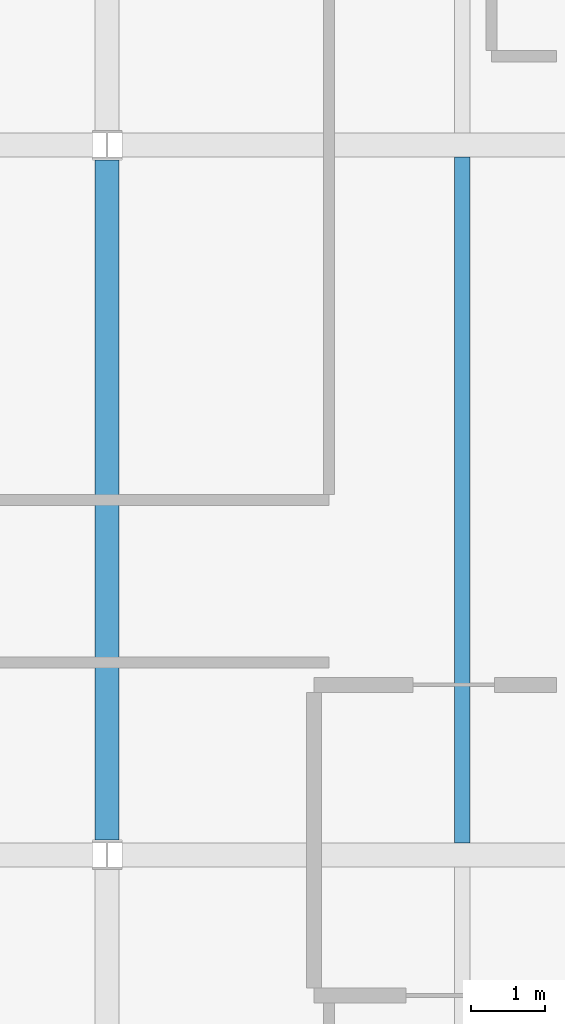
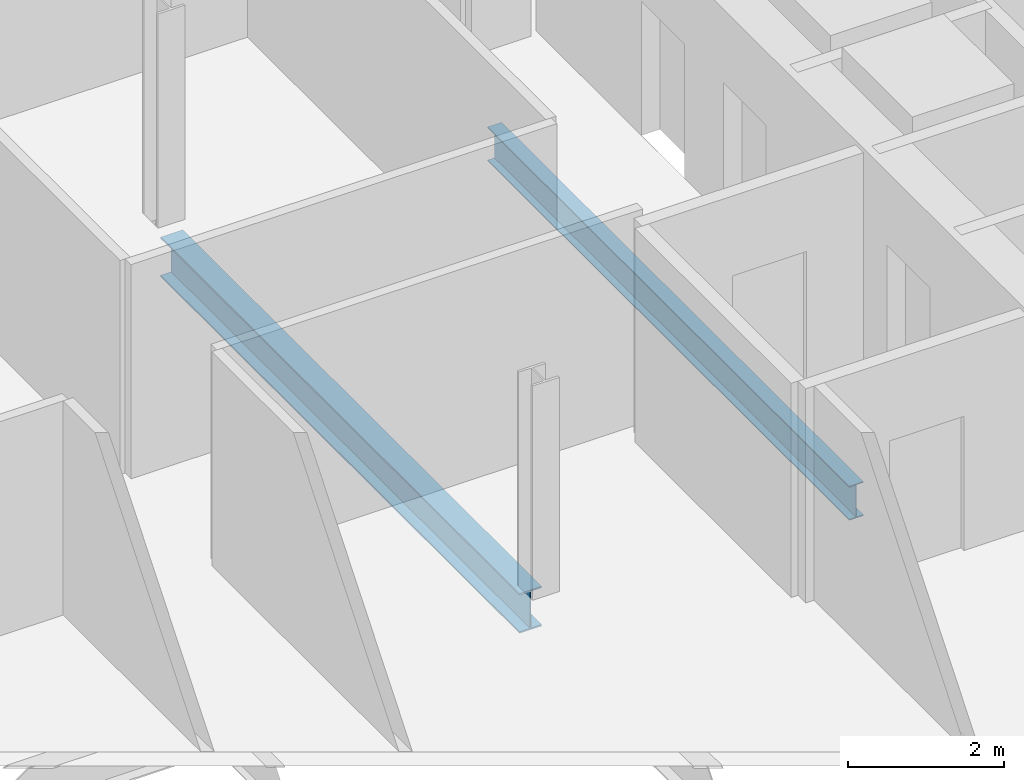
# One storey, part 5 of 20: 2 beams.
"""IFC4 building model written with IfcOpenShell, lengths in metres."""

from ifc_helpers import new_model, si_unit, direction, frame, origin, origin_2d, place, context, subcontext, project, spatial, i_section, extrude, material, material_profile, profile_set, type_object, element, save


model = new_model("IFC4")

# Units and contexts
model_context = context("Model", 3, precision=1e-05, world=origin(), true_north=direction((0.0, 1.0)))
body_context = subcontext(model_context, "Body", "Model", "MODEL_VIEW")
ifc_project = project(units=[si_unit("LENGTHUNIT", "METRE"), si_unit("AREAUNIT", "SQUARE_METRE"), si_unit("VOLUMEUNIT", "CUBIC_METRE"), si_unit("PLANEANGLEUNIT", "RADIAN"), si_unit("MASSUNIT", "GRAM", prefix="KILO")], contexts=[model_context])

# Site, building, storey
site_placement = place(None, origin())
site = spatial("IfcSite", under=ifc_project, at=site_placement, CompositionType="ELEMENT")
building_placement = place(site_placement, origin())
building = spatial("IfcBuilding", under=site, at=building_placement, Name="Cobrizo Arcos Hotel Tower", CompositionType="ELEMENT")
storey_placement = place(building_placement, frame((0.0, 0.0, 110.0)))
storey = spatial("IfcBuildingStorey", under=building, at=storey_placement, Name="L27", CompositionType="ELEMENT", Elevation=110.0)

# Beams
ifc_material = material(Name="Steel ASTM A992 Grade 50", Category="steel")
ifc_material_profile_1 = material_profile(ifc_material, i_section(OverallWidth=0.209228515625, OverallDepth=0.533447265625, WebThickness=0.01025390625, FlangeThickness=0.015625, at=origin_2d()), Name="W21X62")
ifc_profile_set_1 = profile_set([ifc_material_profile_1], Name="Steel ASTM A992 Grade 50")
beam_type_1 = type_object("IfcBeamType", Name="W21X62 joist", PredefinedType="JOIST", material=ifc_profile_set_1)
beam_1_placement = place(storey_placement, frame((14.39990234375, 0.163818359375, -0.416748046875), z_axis=(0.0, 1.0, 0.0), x_axis=(-1.0, 0.0, 0.0)))
element("IfcBeam", 1, at=beam_1_placement, inside=storey, type_object=beam_type_1, Name="Floor joist J1, L27, no. 017", PredefinedType="JOIST", context=body_context, shape_type="SweptSolid", body=[
    extrude(i_section(OverallWidth=0.209228515625, OverallDepth=0.533447265625, WebThickness=0.01025390625, FlangeThickness=0.015625, at=origin_2d()), origin(), (0.0, 0.0, 1.0), 9.272216796875),
])
ifc_material_profile_2 = material_profile(ifc_material, i_section(OverallWidth=0.32763671875, OverallDepth=0.622314453125, WebThickness=0.015380859375, FlangeThickness=0.0244140625, at=origin_2d()), Name="W24X131")
ifc_profile_set_2 = profile_set([ifc_material_profile_2], Name="Steel ASTM A992 Grade 50")
beam_type_2 = type_object("IfcBeamType", Name="W24X131 girder", PredefinedType="BEAM", material=ifc_profile_set_2)
beam_2_placement = place(storey_placement, frame((9.60009765625, 0.199462890625, -0.461181640625), z_axis=(0.0, 1.0, 0.0), x_axis=(-1.0, 0.0, 0.0)))
element("IfcBeam", 2, at=beam_2_placement, inside=storey, type_object=beam_type_2, Name="Floor girder G1, L27, no. 023", PredefinedType="BEAM", context=body_context, shape_type="SweptSolid", body=[
    extrude(i_section(OverallWidth=0.32763671875, OverallDepth=0.622314453125, WebThickness=0.015380859375, FlangeThickness=0.0244140625, at=origin_2d()), origin(), (0.0, 0.0, 1.0), 9.201171875),
])

save(model, "model.ifc")
